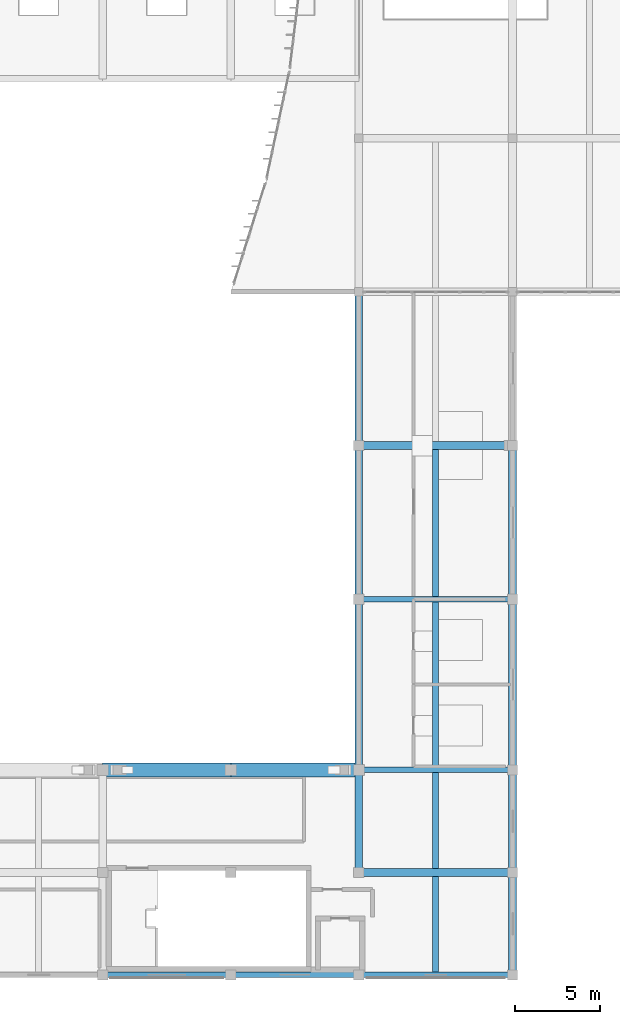
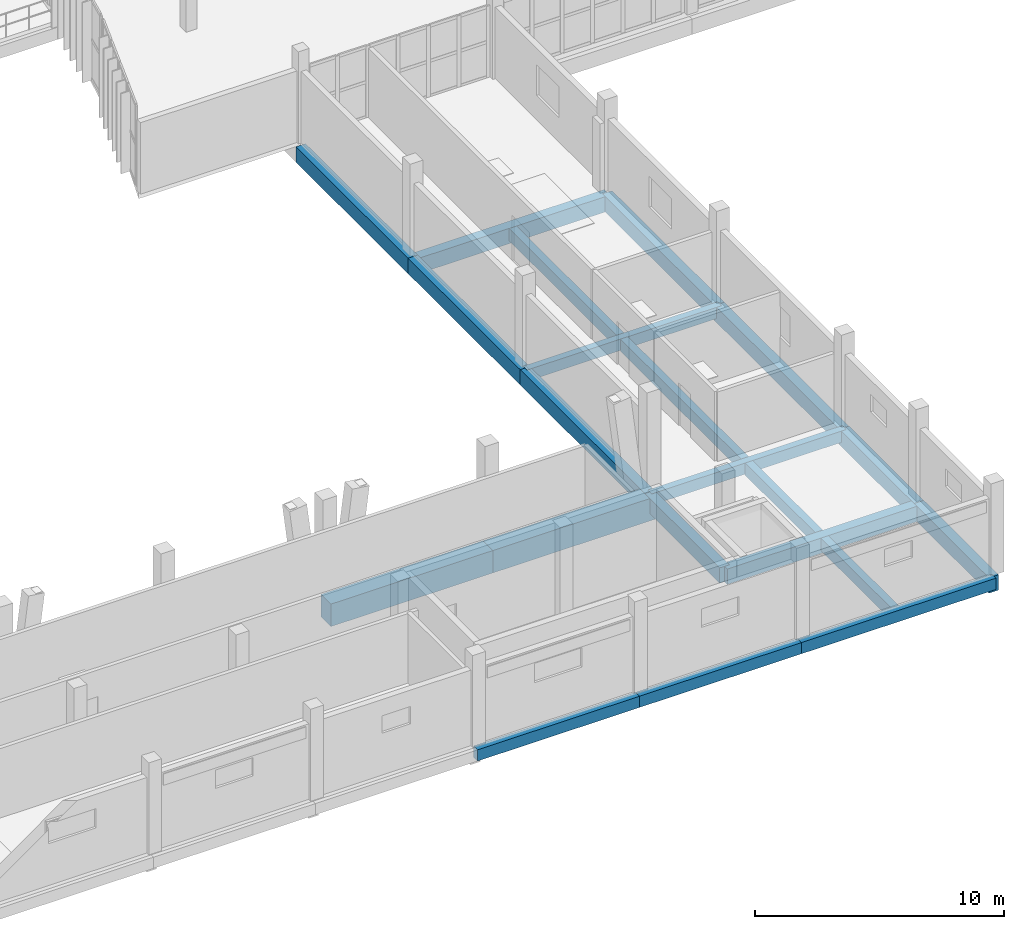
# One storey, part 27 of 81: 21 beams.
"""IFC4 building model written with IfcOpenShell, lengths in metres."""

from ifc_helpers import new_model, si_unit, direction, frame, origin, origin_2d, place, context, subcontext, project, spatial, rectangle, extrude, material, material_profile, profile_set, type_object, element, save


model = new_model("IFC4")

# Units and contexts
model_context = context("Model", 3, precision=1e-05, world=origin(), true_north=direction((0.0, 1.0)))
body_context = subcontext(model_context, "Body", "Model", "MODEL_VIEW")
ifc_project = project(units=[si_unit("LENGTHUNIT", "METRE"), si_unit("AREAUNIT", "SQUARE_METRE"), si_unit("VOLUMEUNIT", "CUBIC_METRE"), si_unit("PLANEANGLEUNIT", "RADIAN"), si_unit("MASSUNIT", "GRAM", prefix="KILO")], contexts=[model_context])

# Site, building, storey
site_placement = place(None, origin())
site = spatial("IfcSite", under=ifc_project, at=site_placement, CompositionType="ELEMENT")
building_placement = place(site_placement, origin())
building = spatial("IfcBuilding", under=site, at=building_placement, Name="Vourika Railside Aquatics Centre", CompositionType="ELEMENT")
storey_placement = place(building_placement, frame((0.0, 0.0, 4.800048828125)))
storey = spatial("IfcBuildingStorey", under=building, at=storey_placement, Name="L01", CompositionType="ELEMENT", Elevation=4.800048828125)

# Beams
ifc_material_1 = material(Name="Concrete C35/45", Category="concrete")
ifc_material_profile_1 = material_profile(ifc_material_1, rectangle(XDim=0.449951171875, YDim=0.75, at=origin_2d()), Name="RC 450x750")
ifc_profile_set_1 = profile_set([ifc_material_profile_1], Name="Concrete C35/45")
beam_type_1 = type_object("IfcBeamType", Name="BM-GIRD-450x750", PredefinedType="BEAM", material=ifc_profile_set_1)
for number, where, z_axis, x_axis, name in (
    (1, (141.0, 6.0, -0.675048828125), (1.0, 0.0, 0.0), (0.0, 1.0, 0.0), "Floor Beam GX-L01-026"),
    (2, (141.0, 31.0, -0.675048828125), (1.0, 0.0, 0.0), (0.0, 1.0, 0.0), "Floor Beam GX-L01-047"),
):
    element("IfcBeam", number, at=place(storey_placement, frame(where, z_axis=z_axis, x_axis=x_axis)), inside=storey, type_object=beam_type_1, Name=name, PredefinedType="BEAM", context=body_context, shape_type="SweptSolid", body=[
        extrude(rectangle(XDim=0.449951171875, YDim=0.75, at=origin_2d()), origin(), (0.0, 0.0, 1.0), 9.0),
    ])
beam_1_placement = place(storey_placement, frame((141.0, 6.0, -0.675048828125), z_axis=(0.0, 1.0, 0.0), x_axis=(-1.0, 0.0, 0.0)))
element("IfcBeam", 3, at=beam_1_placement, inside=storey, type_object=beam_type_1, Name="Floor Girder GY-L01-268", PredefinedType="BEAM", context=body_context, shape_type="SweptSolid", body=[
    extrude(rectangle(XDim=0.449951171875, YDim=0.75, at=origin_2d()), origin(), (0.0, 0.0, 1.0), 6.0),
])
beam_2_placement = place(storey_placement, frame((141.0, 12.0, -0.675048828125), z_axis=(0.0, 1.0, 0.0), x_axis=(-1.0, 0.0, 0.0)))
element("IfcBeam", 4, at=beam_2_placement, inside=storey, type_object=beam_type_1, Name="Floor Girder GY-L01-269", PredefinedType="BEAM", context=body_context, shape_type="SweptSolid", body=[
    extrude(rectangle(XDim=0.449951171875, YDim=0.75, at=origin_2d()), origin(), (0.0, 0.0, 1.0), 10.0),
])
for number, where, z_axis, x_axis, name in (
    (5, (141.0, 22.0, -0.675048828125), (0.0, 1.0, 0.0), (-1.0, 0.0, 0.0), "Floor Girder GY-L01-270"),
    (6, (141.0, 31.0, -0.675048828125), (0.0, 1.0, 0.0), (-1.0, 0.0, 0.0), "Floor Girder GY-L01-271"),
):
    element("IfcBeam", number, at=place(storey_placement, frame(where, z_axis=z_axis, x_axis=x_axis)), inside=storey, type_object=beam_type_1, Name=name, PredefinedType="BEAM", context=body_context, shape_type="SweptSolid", body=[
        extrude(rectangle(XDim=0.449951171875, YDim=0.75, at=origin_2d()), origin(), (0.0, 0.0, 1.0), 9.0),
    ])
for number, where, z_axis, x_axis, name in (
    (7, (150.0, 0.0, -0.675048828125), (0.0, 1.0, 0.0), (-1.0, 0.0, 0.0), "Floor Girder GY-L01-278"),
    (8, (150.0, 6.0, -0.675048828125), (0.0, 1.0, 0.0), (-1.0, 0.0, 0.0), "Floor Girder GY-L01-279"),
):
    element("IfcBeam", number, at=place(storey_placement, frame(where, z_axis=z_axis, x_axis=x_axis)), inside=storey, type_object=beam_type_1, Name=name, PredefinedType="BEAM", context=body_context, shape_type="SweptSolid", body=[
        extrude(rectangle(XDim=0.449951171875, YDim=0.75, at=origin_2d()), origin(), (0.0, 0.0, 1.0), 6.0),
    ])
beam_3_placement = place(storey_placement, frame((150.0, 12.0, -0.675048828125), z_axis=(0.0, 1.0, 0.0), x_axis=(-1.0, 0.0, 0.0)))
element("IfcBeam", 9, at=beam_3_placement, inside=storey, type_object=beam_type_1, Name="Floor Girder GY-L01-280", PredefinedType="BEAM", context=body_context, shape_type="SweptSolid", body=[
    extrude(rectangle(XDim=0.449951171875, YDim=0.75, at=origin_2d()), origin(), (0.0, 0.0, 1.0), 10.0),
])
beam_4_placement = place(storey_placement, frame((150.0, 22.0, -0.675048828125), z_axis=(0.0, 1.0, 0.0), x_axis=(-1.0, 0.0, 0.0)))
element("IfcBeam", 10, at=beam_4_placement, inside=storey, type_object=beam_type_1, Name="Floor Girder GY-L01-281", PredefinedType="BEAM", context=body_context, shape_type="SweptSolid", body=[
    extrude(rectangle(XDim=0.449951171875, YDim=0.75, at=origin_2d()), origin(), (0.0, 0.0, 1.0), 9.0),
])
ifc_material_2 = material(Name="Concrete C40/50", Category="concrete")
ifc_material_profile_2 = material_profile(ifc_material_2, rectangle(XDim=0.800048828125, YDim=1.10009765625, at=origin_2d()), Name="RC 800x1100")
ifc_profile_set_2 = profile_set([ifc_material_profile_2], Name="Concrete C40/50")
beam_type_2 = type_object("IfcBeamType", Name="BM-RING-800x1100", PredefinedType="BEAM", material=ifc_profile_set_2)
for number, where, z_axis, x_axis, name in (
    (11, (126.0, 12.0, -0.85009765625), (1.0, 0.0, 0.0), (0.0, 1.0, 0.0), "Floor Beam GX-L01-039"),
    (12, (133.5, 12.0, -0.85009765625), (1.0, 0.0, 0.0), (0.0, 1.0, 0.0), "Floor Beam GX-L01-040"),
):
    element("IfcBeam", number, at=place(storey_placement, frame(where, z_axis=z_axis, x_axis=x_axis)), inside=storey, type_object=beam_type_2, Name=name, PredefinedType="BEAM", context=body_context, shape_type="SweptSolid", body=[
        extrude(rectangle(XDim=0.800048828125, YDim=1.10009765625, at=origin_2d()), origin(), (0.0, 0.0, 1.0), 7.5),
    ])
ifc_material_profile_3 = material_profile(ifc_material_1, rectangle(XDim=0.35009765625, YDim=0.60009765625, at=origin_2d()), Name="RC 350x600")
ifc_profile_set_3 = profile_set([ifc_material_profile_3], Name="Concrete C35/45")
beam_type_3 = type_object("IfcBeamType", Name="BM-SEC-350x600", PredefinedType="JOIST", material=ifc_profile_set_3)
for number, where, z_axis, x_axis, name in (
    (13, (145.5, 0.159912109375, -0.60009765625), (0.0, 1.0, 0.0), (-1.0, 0.0, 0.0), "Secondary Joist JY-L01-308"),
    (14, (145.5, 6.22509765625, -0.60009765625), (0.0, 1.0, 0.0), (-1.0, 0.0, 0.0), "Secondary Joist JY-L01-319"),
):
    element("IfcBeam", number, at=place(storey_placement, frame(where, z_axis=z_axis, x_axis=x_axis)), inside=storey, type_object=beam_type_3, Name=name, PredefinedType="JOIST", context=body_context, shape_type="SweptSolid", body=[
        extrude(rectangle(XDim=0.35009765625, YDim=0.60009765625, at=origin_2d()), origin(), (0.0, 0.0, 1.0), 5.614990234375),
    ])
beam_5_placement = place(storey_placement, frame((145.5, 12.159912109375, -0.60009765625), z_axis=(0.0, 1.0, 0.0), x_axis=(-1.0, 0.0, 0.0)))
element("IfcBeam", 15, at=beam_5_placement, inside=storey, type_object=beam_type_3, Name="Secondary Joist JY-L01-320", PredefinedType="JOIST", context=body_context, shape_type="SweptSolid", body=[
    extrude(rectangle(XDim=0.35009765625, YDim=0.60009765625, at=origin_2d()), origin(), (0.0, 0.0, 1.0), 9.68017578125),
])
beam_6_placement = place(storey_placement, frame((145.5, 22.159912109375, -0.60009765625), z_axis=(0.0, 1.0, 0.0), x_axis=(-1.0, 0.0, 0.0)))
element("IfcBeam", 16, at=beam_6_placement, inside=storey, type_object=beam_type_3, Name="Secondary Joist JY-L01-321", PredefinedType="JOIST", context=body_context, shape_type="SweptSolid", body=[
    extrude(rectangle(XDim=0.35009765625, YDim=0.60009765625, at=origin_2d()), origin(), (0.0, 0.0, 1.0), 8.614990234375),
])
ifc_material_profile_4 = material_profile(ifc_material_1, rectangle(XDim=0.320068359375, YDim=0.550048828125, at=origin_2d()), Name="RC 320x550")
ifc_profile_set_4 = profile_set([ifc_material_profile_4], Name="Concrete C35/45")
beam_type_4 = type_object("IfcBeamType", Name="BM-SPAN-320x550", PredefinedType="SPANDREL", material=ifc_profile_set_4)
for number, where, z_axis, x_axis, name in (
    (17, (126.0, 0.0, -0.574951171875), (1.0, 0.0, 0.0), (0.0, 1.0, 0.0), "Floor Beam GX-L01-013"),
    (18, (133.5, 0.0, -0.574951171875), (1.0, 0.0, 0.0), (0.0, 1.0, 0.0), "Floor Beam GX-L01-014"),
):
    element("IfcBeam", number, at=place(storey_placement, frame(where, z_axis=z_axis, x_axis=x_axis)), inside=storey, type_object=beam_type_4, Name=name, PredefinedType="SPANDREL", context=body_context, shape_type="SweptSolid", body=[
        extrude(rectangle(XDim=0.320068359375, YDim=0.550048828125, at=origin_2d()), origin(), (0.0, 0.0, 1.0), 7.5),
    ])
for number, where, z_axis, x_axis, name in (
    (19, (141.0, 0.0, -0.574951171875), (1.0, 0.0, 0.0), (0.0, 1.0, 0.0), "Floor Beam GX-L01-015"),
    (20, (141.0, 12.0, -0.574951171875), (1.0, 0.0, 0.0), (0.0, 1.0, 0.0), "Floor Beam GX-L01-041"),
    (21, (141.0, 22.0, -0.574951171875), (1.0, 0.0, 0.0), (0.0, 1.0, 0.0), "Floor Beam GX-L01-046"),
):
    element("IfcBeam", number, at=place(storey_placement, frame(where, z_axis=z_axis, x_axis=x_axis)), inside=storey, type_object=beam_type_4, Name=name, PredefinedType="SPANDREL", context=body_context, shape_type="SweptSolid", body=[
        extrude(rectangle(XDim=0.320068359375, YDim=0.550048828125, at=origin_2d()), origin(), (0.0, 0.0, 1.0), 9.0),
    ])

save(model, "model.ifc")
